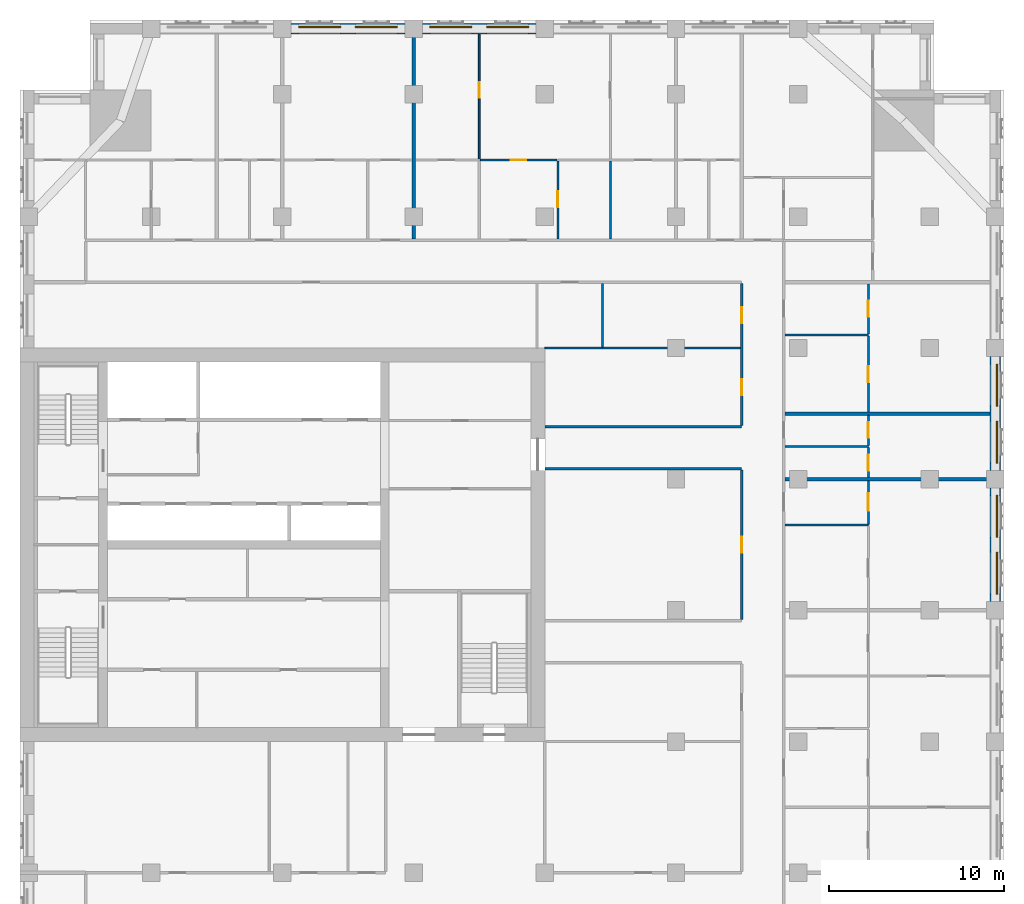
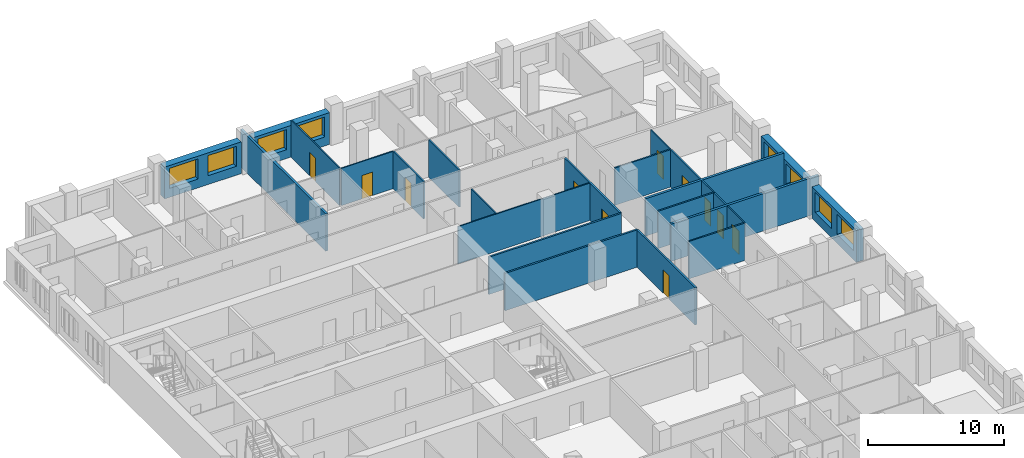
# One storey, part 10 of 14: 25 walls, 11 doors, 8 windows, 19 openings.
"""IFC4 building model written with IfcOpenShell, lengths in metres."""

from ifc_helpers import new_model, si_unit, direction, frame, frame_2d, origin, place, context, subcontext, project, spatial, rectangle, extrude, material, layer, layer_set, type_object, element, fill, save


model = new_model("IFC4")

# Units and contexts
model_context = context("Model", 3, precision=1e-05, world=origin(), true_north=direction((0.0, 1.0)))
body_context = subcontext(model_context, "Body", "Model", "MODEL_VIEW")
ifc_project = project(units=[si_unit("LENGTHUNIT", "METRE"), si_unit("AREAUNIT", "SQUARE_METRE"), si_unit("VOLUMEUNIT", "CUBIC_METRE"), si_unit("PLANEANGLEUNIT", "RADIAN"), si_unit("MASSUNIT", "GRAM", prefix="KILO")], contexts=[model_context])

# Site, building, storey
site_placement = place(None, origin())
site = spatial("IfcSite", under=ifc_project, at=site_placement, CompositionType="ELEMENT")
building_placement = place(site_placement, origin())
building = spatial("IfcBuilding", under=site, at=building_placement, Name="Tamorin Gate", CompositionType="ELEMENT")
storey_placement = place(building_placement, frame((0.0, 0.0, 141.0)))
storey = spatial("IfcBuildingStorey", under=building, at=storey_placement, Name="L34", CompositionType="ELEMENT", Elevation=141.0)

# Wall, openings, windows
ifc_material_1 = material(Name="Precast concrete C40/50", Category="concrete")
ifc_layer_1 = layer(ifc_material_1, 0.60009765625)
ifc_layer_set_1 = layer_set([ifc_layer_1], Name="Precast concrete C40/50")
wall_type_1 = type_object("IfcWallType", Name="Board-marked concrete facade panel 600", PredefinedType="SOLIDWALL", material=ifc_layer_set_1)
wall_1_placement = place(storey_placement, frame((85.75, 68.0, 0.0), z_axis=(0.0, 0.0, 1.0), x_axis=(0.0, 1.0, 0.0)))
wall_1 = element("IfcWall", 1, at=wall_1_placement, inside=storey, type_object=wall_type_1, Name="Facade panel", PredefinedType="SOLIDWALL", context=body_context, shape_type="SweptSolid", body=[
    extrude(rectangle(XDim=6.5, YDim=0.60009765625, at=frame_2d((3.25, 0.0))), origin(), (0.0, 0.0, 1.0), 2.85009765625),
])
opening_1_placement = place(wall_1_placement, frame((0.425048828125, 0.0, 0.800048828125)))
opening_1 = element("IfcOpeningElement", 2, at=opening_1_placement, cuts=wall_1, Name="Opening WN1", PredefinedType="OPENING", context=body_context, shape_type="SweptSolid", body=[
    extrude(rectangle(XDim=2.39990234375, YDim=1.800048828125, at=frame_2d((1.199951171875, 0.89990234375))), frame((0.0, 0.31005859375, 0.0), z_axis=(0.0, -1.0, 0.0), x_axis=(1.0, 0.0, 0.0)), (0.0, 0.0, 1.0), 0.6201171875),
])
opening_2_placement = place(wall_1_placement, frame((3.675048828125, 0.0, 0.800048828125)))
opening_2 = element("IfcOpeningElement", 3, at=opening_2_placement, cuts=wall_1, Name="Opening WN1", PredefinedType="OPENING", context=body_context, shape_type="SweptSolid", body=[
    extrude(rectangle(XDim=2.39990234375, YDim=1.800048828125, at=frame_2d((1.199951171875, 0.89990234375))), frame((0.0, 0.31005859375, 0.0), z_axis=(0.0, -1.0, 0.0), x_axis=(1.0, 0.0, 0.0)), (0.0, 0.0, 1.0), 0.6201171875),
])
ifc_material_2 = material(Name="Clear glass in aluminium frame", Category="aluminium")
window_type = type_object("IfcWindowType", Name="Deep-set window 2400x1800", PartitioningType="SINGLE_PANEL", PredefinedType="WINDOW", material=ifc_material_2)
window_1_placement = place(opening_1_placement, origin())
window_1 = element("IfcWindow", 4, at=window_1_placement, inside=storey, type_object=window_type, Name="Deep-set window", OverallHeight=1.800048828125, OverallWidth=2.39990234375, PartitioningType="SINGLE_PANEL", PredefinedType="WINDOW", context=body_context, shape_type="SweptSolid", body=[
    extrude(rectangle(XDim=2.39990234375, YDim=1.800048828125, at=frame_2d((1.199951171875, 0.89990234375))), frame((0.0, -0.070068359375, 0.0), z_axis=(0.0, -1.0, 0.0), x_axis=(1.0, 0.0, 0.0)), (0.0, 0.0, 1.0), 0.06005859375),
])
fill(opening_1, window_1)
window_2_placement = place(opening_2_placement, origin())
window_2 = element("IfcWindow", 5, at=window_2_placement, inside=storey, type_object=window_type, Name="Deep-set window", OverallHeight=1.800048828125, OverallWidth=2.39990234375, PartitioningType="SINGLE_PANEL", PredefinedType="WINDOW", context=body_context, shape_type="SweptSolid", body=[
    extrude(rectangle(XDim=2.39990234375, YDim=1.800048828125, at=frame_2d((1.199951171875, 0.89990234375))), frame((0.0, -0.070068359375, 0.0), z_axis=(0.0, -1.0, 0.0), x_axis=(1.0, 0.0, 0.0)), (0.0, 0.0, 1.0), 0.06005859375),
])
fill(opening_2, window_2)

wall_2_placement = place(storey_placement, frame((85.75, 75.5, 0.0), z_axis=(0.0, 0.0, 1.0), x_axis=(0.0, 1.0, 0.0)))
wall_2 = element("IfcWall", 6, at=wall_2_placement, inside=storey, type_object=wall_type_1, Name="Facade panel", PredefinedType="SOLIDWALL", context=body_context, shape_type="SweptSolid", body=[
    extrude(rectangle(XDim=6.5, YDim=0.60009765625, at=frame_2d((3.25, 0.0))), origin(), (0.0, 0.0, 1.0), 2.85009765625),
])
opening_3_placement = place(wall_2_placement, frame((0.425048828125, 0.0, 0.800048828125)))
opening_3 = element("IfcOpeningElement", 7, at=opening_3_placement, cuts=wall_2, Name="Opening WN1", PredefinedType="OPENING", context=body_context, shape_type="SweptSolid", body=[
    extrude(rectangle(XDim=2.39990234375, YDim=1.800048828125, at=frame_2d((1.199951171875, 0.89990234375))), frame((0.0, 0.31005859375, 0.0), z_axis=(0.0, -1.0, 0.0), x_axis=(1.0, 0.0, 0.0)), (0.0, 0.0, 1.0), 0.6201171875),
])
opening_4_placement = place(wall_2_placement, frame((3.675048828125, 0.0, 0.800048828125)))
opening_4 = element("IfcOpeningElement", 8, at=opening_4_placement, cuts=wall_2, Name="Opening WN1", PredefinedType="OPENING", context=body_context, shape_type="SweptSolid", body=[
    extrude(rectangle(XDim=2.39990234375, YDim=1.800048828125, at=frame_2d((1.199951171875, 0.89990234375))), frame((0.0, 0.31005859375, 0.0), z_axis=(0.0, -1.0, 0.0), x_axis=(1.0, 0.0, 0.0)), (0.0, 0.0, 1.0), 0.6201171875),
])
window_3_placement = place(opening_3_placement, origin())
window_3 = element("IfcWindow", 9, at=window_3_placement, inside=storey, type_object=window_type, Name="Deep-set window", OverallHeight=1.800048828125, OverallWidth=2.39990234375, PartitioningType="SINGLE_PANEL", PredefinedType="WINDOW", context=body_context, shape_type="SweptSolid", body=[
    extrude(rectangle(XDim=2.39990234375, YDim=1.800048828125, at=frame_2d((1.199951171875, 0.89990234375))), frame((0.0, -0.070068359375, 0.0), z_axis=(0.0, -1.0, 0.0), x_axis=(1.0, 0.0, 0.0)), (0.0, 0.0, 1.0), 0.06005859375),
])
fill(opening_3, window_3)
window_4_placement = place(opening_4_placement, origin())
window_4 = element("IfcWindow", 10, at=window_4_placement, inside=storey, type_object=window_type, Name="Deep-set window", OverallHeight=1.800048828125, OverallWidth=2.39990234375, PartitioningType="SINGLE_PANEL", PredefinedType="WINDOW", context=body_context, shape_type="SweptSolid", body=[
    extrude(rectangle(XDim=2.39990234375, YDim=1.800048828125, at=frame_2d((1.199951171875, 0.89990234375))), frame((0.0, -0.070068359375, 0.0), z_axis=(0.0, -1.0, 0.0), x_axis=(1.0, 0.0, 0.0)), (0.0, 0.0, 1.0), 0.06005859375),
])
fill(opening_4, window_4)

wall_3_placement = place(storey_placement, frame((59.5, 100.75, 0.0), z_axis=(0.0, 0.0, 1.0), x_axis=(-1.0, 0.0, 0.0)))
wall_3 = element("IfcWall", 11, at=wall_3_placement, inside=storey, type_object=wall_type_1, Name="Facade panel", PredefinedType="SOLIDWALL", context=body_context, shape_type="SweptSolid", body=[
    extrude(rectangle(XDim=6.5, YDim=0.60009765625, at=frame_2d((3.25, 0.0))), origin(), (0.0, 0.0, 1.0), 2.85009765625),
])
opening_5_placement = place(wall_3_placement, frame((3.675048828125, 0.0, 0.800048828125)))
opening_5 = element("IfcOpeningElement", 12, at=opening_5_placement, cuts=wall_3, Name="Opening WN1", PredefinedType="OPENING", context=body_context, shape_type="SweptSolid", body=[
    extrude(rectangle(XDim=2.39990234375, YDim=1.800048828125, at=frame_2d((1.199951171875, 0.89990234375))), frame((0.0, 0.31005859375, 0.0), z_axis=(0.0, -1.0, 0.0), x_axis=(1.0, 0.0, 0.0)), (0.0, 0.0, 1.0), 0.6201171875),
])
opening_6_placement = place(wall_3_placement, frame((0.425048828125, 0.0, 0.800048828125)))
opening_6 = element("IfcOpeningElement", 13, at=opening_6_placement, cuts=wall_3, Name="Opening WN1", PredefinedType="OPENING", context=body_context, shape_type="SweptSolid", body=[
    extrude(rectangle(XDim=2.39990234375, YDim=1.800048828125, at=frame_2d((1.199951171875, 0.89990234375))), frame((0.0, 0.31005859375, 0.0), z_axis=(0.0, -1.0, 0.0), x_axis=(1.0, 0.0, 0.0)), (0.0, 0.0, 1.0), 0.6201171875),
])
window_5_placement = place(opening_5_placement, origin())
window_5 = element("IfcWindow", 14, at=window_5_placement, inside=storey, type_object=window_type, Name="Deep-set window", OverallHeight=1.800048828125, OverallWidth=2.39990234375, PartitioningType="SINGLE_PANEL", PredefinedType="WINDOW", context=body_context, shape_type="SweptSolid", body=[
    extrude(rectangle(XDim=2.39990234375, YDim=1.800048828125, at=frame_2d((1.199951171875, 0.89990234375))), frame((0.0, -0.070068359375, 0.0), z_axis=(0.0, -1.0, 0.0), x_axis=(1.0, 0.0, 0.0)), (0.0, 0.0, 1.0), 0.06005859375),
])
fill(opening_5, window_5)
window_6_placement = place(opening_6_placement, origin())
window_6 = element("IfcWindow", 15, at=window_6_placement, inside=storey, type_object=window_type, Name="Deep-set window", OverallHeight=1.800048828125, OverallWidth=2.39990234375, PartitioningType="SINGLE_PANEL", PredefinedType="WINDOW", context=body_context, shape_type="SweptSolid", body=[
    extrude(rectangle(XDim=2.39990234375, YDim=1.800048828125, at=frame_2d((1.199951171875, 0.89990234375))), frame((0.0, -0.070068359375, 0.0), z_axis=(0.0, -1.0, 0.0), x_axis=(1.0, 0.0, 0.0)), (0.0, 0.0, 1.0), 0.06005859375),
])
fill(opening_6, window_6)

wall_4_placement = place(storey_placement, frame((52.0, 100.75, 0.0), z_axis=(0.0, 0.0, 1.0), x_axis=(-1.0, 0.0, 0.0)))
wall_4 = element("IfcWall", 16, at=wall_4_placement, inside=storey, type_object=wall_type_1, Name="Facade panel", PredefinedType="SOLIDWALL", context=body_context, shape_type="SweptSolid", body=[
    extrude(rectangle(XDim=6.5, YDim=0.60009765625, at=frame_2d((3.25, 0.0))), origin(), (0.0, 0.0, 1.0), 2.85009765625),
])
opening_7_placement = place(wall_4_placement, frame((3.675048828125, 0.0, 0.800048828125)))
opening_7 = element("IfcOpeningElement", 17, at=opening_7_placement, cuts=wall_4, Name="Opening WN1", PredefinedType="OPENING", context=body_context, shape_type="SweptSolid", body=[
    extrude(rectangle(XDim=2.39990234375, YDim=1.800048828125, at=frame_2d((1.199951171875, 0.89990234375))), frame((0.0, 0.31005859375, 0.0), z_axis=(0.0, -1.0, 0.0), x_axis=(1.0, 0.0, 0.0)), (0.0, 0.0, 1.0), 0.6201171875),
])
opening_8_placement = place(wall_4_placement, frame((0.425048828125, 0.0, 0.800048828125)))
opening_8 = element("IfcOpeningElement", 18, at=opening_8_placement, cuts=wall_4, Name="Opening WN1", PredefinedType="OPENING", context=body_context, shape_type="SweptSolid", body=[
    extrude(rectangle(XDim=2.39990234375, YDim=1.800048828125, at=frame_2d((1.199951171875, 0.89990234375))), frame((0.0, 0.31005859375, 0.0), z_axis=(0.0, -1.0, 0.0), x_axis=(1.0, 0.0, 0.0)), (0.0, 0.0, 1.0), 0.6201171875),
])
window_7_placement = place(opening_7_placement, origin())
window_7 = element("IfcWindow", 19, at=window_7_placement, inside=storey, type_object=window_type, Name="Deep-set window", OverallHeight=1.800048828125, OverallWidth=2.39990234375, PartitioningType="SINGLE_PANEL", PredefinedType="WINDOW", context=body_context, shape_type="SweptSolid", body=[
    extrude(rectangle(XDim=2.39990234375, YDim=1.800048828125, at=frame_2d((1.199951171875, 0.89990234375))), frame((0.0, -0.070068359375, 0.0), z_axis=(0.0, -1.0, 0.0), x_axis=(1.0, 0.0, 0.0)), (0.0, 0.0, 1.0), 0.06005859375),
])
fill(opening_7, window_7)
window_8_placement = place(opening_8_placement, origin())
window_8 = element("IfcWindow", 20, at=window_8_placement, inside=storey, type_object=window_type, Name="Deep-set window", OverallHeight=1.800048828125, OverallWidth=2.39990234375, PartitioningType="SINGLE_PANEL", PredefinedType="WINDOW", context=body_context, shape_type="SweptSolid", body=[
    extrude(rectangle(XDim=2.39990234375, YDim=1.800048828125, at=frame_2d((1.199951171875, 0.89990234375))), frame((0.0, -0.070068359375, 0.0), z_axis=(0.0, -1.0, 0.0), x_axis=(1.0, 0.0, 0.0)), (0.0, 0.0, 1.0), 0.06005859375),
])
fill(opening_8, window_8)

# Wall, opening, door
ifc_material_3 = material(Name="Gypsum board partition")
ifc_layer_2 = layer(ifc_material_3, 0.14990234375)
ifc_layer_set_2 = layer_set([ifc_layer_2], Name="Corridor wall 150")
wall_type_2 = type_object("IfcWallType", Name="Corridor wall 150", PredefinedType="PARTITIONING", material=ifc_layer_set_2)
wall_5_placement = place(storey_placement, frame((71.25, 66.97509765625, 0.0), z_axis=(0.0, 0.0, 1.0), x_axis=(0.0, 1.0, 0.0)))
wall_5 = element("IfcWall", 21, at=wall_5_placement, inside=storey, type_object=wall_type_2, Name="Corridor wall 150", PredefinedType="PARTITIONING", context=body_context, shape_type="SweptSolid", body=[
    extrude(rectangle(XDim=8.5498046875, YDim=0.14990234375, at=frame_2d((4.27490234375, 0.0))), origin(), (0.0, 0.0, 1.0), 3.35009765625),
])
opening_9_placement = place(wall_5_placement, frame((3.824951171875, 0.0, 0.0)))
opening_9 = element("IfcOpeningElement", 22, at=opening_9_placement, cuts=wall_5, Name="Opening DS4079", PredefinedType="OPENING", context=body_context, shape_type="SweptSolid", body=[
    extrude(rectangle(XDim=0.89990234375, YDim=2.10009765625, at=frame_2d((0.449951171875, 1.050048828125))), frame((0.0, 0.0849609375, 0.0), z_axis=(0.0, -1.0, 0.0), x_axis=(1.0, 0.0, 0.0)), (0.0, 0.0, 1.0), 0.169921875),
])
ifc_material_4 = material(Name="Timber door leaf", Category="wood")
door_type_1 = type_object("IfcDoorType", Name="Door 900 x 2100 FD30S", OperationType="NOTDEFINED", PredefinedType="DOOR", material=ifc_material_4)
door_1_placement = place(opening_9_placement, origin())
door_1 = element("IfcDoor", 23, at=door_1_placement, inside=storey, type_object=door_type_1, Name="Door DS4079", OperationType="SINGLE_SWING_LEFT", OverallHeight=2.10009765625, OverallWidth=0.89990234375, PredefinedType="DOOR", context=body_context, shape_type="SweptSolid", body=[
    extrude(rectangle(XDim=0.89990234375, YDim=2.10009765625, at=frame_2d((0.449951171875, 1.050048828125))), frame((0.0, 0.02490234375, 0.0), z_axis=(0.0, -1.0, 0.0), x_axis=(1.0, 0.0, 0.0)), (0.0, 0.0, 1.0), 0.050048828125),
])
fill(opening_9, door_1)

# Wall, openings, doors
wall_6_placement = place(storey_placement, frame((71.25, 78.074951171875, 0.0), z_axis=(0.0, 0.0, 1.0), x_axis=(0.0, 1.0, 0.0)))
wall_6 = element("IfcWall", 24, at=wall_6_placement, inside=storey, type_object=wall_type_2, Name="Corridor wall 150", PredefinedType="PARTITIONING", context=body_context, shape_type="SweptSolid", body=[
    extrude(rectangle(XDim=8.10009765625, YDim=0.14990234375, at=frame_2d((4.050048828125, 0.0))), origin(), (0.0, 0.0, 1.0), 3.35009765625),
])
opening_10_placement = place(wall_6_placement, frame((5.85009765625, 0.0, 0.0)))
opening_10 = element("IfcOpeningElement", 25, at=opening_10_placement, cuts=wall_6, Name="Opening DS4077", PredefinedType="OPENING", context=body_context, shape_type="SweptSolid", body=[
    extrude(rectangle(XDim=0.89990234375, YDim=2.10009765625, at=frame_2d((0.449951171875, 1.050048828125))), frame((0.0, 0.0849609375, 0.0), z_axis=(0.0, -1.0, 0.0), x_axis=(1.0, 0.0, 0.0)), (0.0, 0.0, 1.0), 0.169921875),
])
opening_11_placement = place(wall_6_placement, frame((1.72509765625, 0.0, 0.0)))
opening_11 = element("IfcOpeningElement", 26, at=opening_11_placement, cuts=wall_6, Name="Opening DS4080", PredefinedType="OPENING", context=body_context, shape_type="SweptSolid", body=[
    extrude(rectangle(XDim=0.89990234375, YDim=2.10009765625, at=frame_2d((0.449951171875, 1.050048828125))), frame((0.0, 0.0849609375, 0.0), z_axis=(0.0, -1.0, 0.0), x_axis=(1.0, 0.0, 0.0)), (0.0, 0.0, 1.0), 0.169921875),
])
door_2_placement = place(opening_10_placement, origin())
door_2 = element("IfcDoor", 27, at=door_2_placement, inside=storey, type_object=door_type_1, Name="Door DS4077", OperationType="SINGLE_SWING_LEFT", OverallHeight=2.10009765625, OverallWidth=0.89990234375, PredefinedType="DOOR", context=body_context, shape_type="SweptSolid", body=[
    extrude(rectangle(XDim=0.89990234375, YDim=2.10009765625, at=frame_2d((0.449951171875, 1.050048828125))), frame((0.0, 0.02490234375, 0.0), z_axis=(0.0, -1.0, 0.0), x_axis=(1.0, 0.0, 0.0)), (0.0, 0.0, 1.0), 0.050048828125),
])
fill(opening_10, door_2)
door_3_placement = place(opening_11_placement, origin())
door_3 = element("IfcDoor", 28, at=door_3_placement, inside=storey, type_object=door_type_1, Name="Door DS4080", OperationType="SINGLE_SWING_LEFT", OverallHeight=2.10009765625, OverallWidth=0.89990234375, PredefinedType="DOOR", context=body_context, shape_type="SweptSolid", body=[
    extrude(rectangle(XDim=0.89990234375, YDim=2.10009765625, at=frame_2d((0.449951171875, 1.050048828125))), frame((0.0, 0.02490234375, 0.0), z_axis=(0.0, -1.0, 0.0), x_axis=(1.0, 0.0, 0.0)), (0.0, 0.0, 1.0), 0.050048828125),
])
fill(opening_11, door_3)

# Walls
ifc_layer_3 = layer(ifc_material_3, 0.199951171875)
ifc_layer_set_3 = layer_set([ifc_layer_3], Name="Demising wall 200")
wall_type_3 = type_object("IfcWallType", Name="Demising wall 200", PredefinedType="PARTITIONING", material=ifc_layer_set_3)
wall_7_placement = place(storey_placement, frame((73.72509765625, 75.0, 0.0), z_axis=(0.0, 0.0, 1.0), x_axis=(1.0, 0.0, 0.0)))
element("IfcWall", 29, at=wall_7_placement, inside=storey, type_object=wall_type_3, Name="Demising wall 200", PredefinedType="PARTITIONING", context=body_context, shape_type="SweptSolid", body=[
    extrude(rectangle(XDim=12.52490234375, YDim=0.199951171875, at=frame_2d((6.262451171875, 0.0))), origin(), (0.0, 0.0, 1.0), 3.35009765625),
])
wall_8_placement = place(storey_placement, frame((73.72509765625, 78.75, 0.0), z_axis=(0.0, 0.0, 1.0), x_axis=(1.0, 0.0, 0.0)))
element("IfcWall", 30, at=wall_8_placement, inside=storey, type_object=wall_type_3, Name="Demising wall 200", PredefinedType="PARTITIONING", context=body_context, shape_type="SweptSolid", body=[
    extrude(rectangle(XDim=11.71484375, YDim=0.199951171875, at=frame_2d((5.857421875, 0.0))), origin(), (0.0, 0.0, 1.0), 3.35009765625),
])
wall_9_placement = place(storey_placement, frame((52.5, 88.72509765625, 0.0), z_axis=(0.0, 0.0, 1.0), x_axis=(0.0, 1.0, 0.0)))
element("IfcWall", 31, at=wall_9_placement, inside=storey, type_object=wall_type_3, Name="Demising wall 200", PredefinedType="PARTITIONING", context=body_context, shape_type="SweptSolid", body=[
    extrude(rectangle(XDim=12.52490234375, YDim=0.199951171875, at=frame_2d((6.262451171875, 0.0))), origin(), (0.0, 0.0, 1.0), 3.35009765625),
])
ifc_layer_4 = layer(ifc_material_3, 0.14990234375)
ifc_layer_set_4 = layer_set([ifc_layer_4], Name="Lobby wall 150")
wall_type_4 = type_object("IfcWallType", Name="Lobby wall 150", PredefinedType="PARTITIONING", material=ifc_layer_set_4)
for number, where, z_axis, x_axis, name in (
    (32, (60.0, 75.60009765625, 0.0), (0.0, 0.0, 1.0), (1.0, 0.0, 0.0), "Lobby wall 150"),
    (33, (60.0, 78.0, 0.0), (0.0, 0.0, 1.0), (1.0, 0.0, 0.0), "Lobby wall 150"),
):
    element("IfcWall", number, at=place(storey_placement, frame(where, z_axis=z_axis, x_axis=x_axis)), inside=storey, type_object=wall_type_4, Name=name, PredefinedType="PARTITIONING", context=body_context, shape_type="SweptSolid", body=[
        extrude(rectangle(XDim=11.25, YDim=0.14990234375, at=frame_2d((5.625, 0.0))), origin(), (0.0, 0.0, 1.0), 3.35009765625),
    ])
ifc_layer_5 = layer(ifc_material_3, 0.10009765625)
ifc_layer_set_5 = layer_set([ifc_layer_5], Name="Room partition 100")
wall_type_5 = type_object("IfcWallType", Name="Room partition 100", PredefinedType="PARTITIONING", material=ifc_layer_set_5)
wall_10_placement = place(storey_placement, frame((60.0, 82.5, 0.0), z_axis=(0.0, 0.0, 1.0), x_axis=(1.0, 0.0, 0.0)))
element("IfcWall", 34, at=wall_10_placement, inside=storey, type_object=wall_type_5, Name="Room partition 100", PredefinedType="PARTITIONING", context=body_context, shape_type="SweptSolid", body=[
    extrude(rectangle(XDim=11.175048828125, YDim=0.10009765625, at=frame_2d((5.58740234375, 0.0))), origin(), (0.0, 0.0, 1.0), 3.35009765625),
])

# Wall, opening, door
wall_11_placement = place(storey_placement, frame((56.3125, 93.25, 0.0), z_axis=(0.0, 0.0, 1.0), x_axis=(1.0, 0.0, 0.0)))
wall_11 = element("IfcWall", 35, at=wall_11_placement, inside=storey, type_object=wall_type_5, Name="Room partition 100", PredefinedType="PARTITIONING", context=body_context, shape_type="SweptSolid", body=[
    extrude(rectangle(XDim=4.375, YDim=0.10009765625, at=frame_2d((2.1875, 0.0))), origin(), (0.0, 0.0, 1.0), 3.35009765625),
])
opening_12_placement = place(wall_11_placement, frame((1.737548828125, 0.0, 0.0)))
opening_12 = element("IfcOpeningElement", 36, at=opening_12_placement, cuts=wall_11, Name="Opening DS4035", PredefinedType="OPENING", context=body_context, shape_type="SweptSolid", body=[
    extrude(rectangle(XDim=0.89990234375, YDim=2.10009765625, at=frame_2d((0.449951171875, 1.050048828125))), frame((0.0, 0.06005859375, 0.0), z_axis=(0.0, -1.0, 0.0), x_axis=(1.0, 0.0, 0.0)), (0.0, 0.0, 1.0), 0.1201171875),
])
door_type_2 = type_object("IfcDoorType", Name="Door 900 x 2100", OperationType="NOTDEFINED", PredefinedType="DOOR", material=ifc_material_4)
door_4_placement = place(opening_12_placement, origin())
door_4 = element("IfcDoor", 37, at=door_4_placement, inside=storey, type_object=door_type_2, Name="Door DS4035", OperationType="SINGLE_SWING_RIGHT", OverallHeight=2.10009765625, OverallWidth=0.89990234375, PredefinedType="DOOR", context=body_context, shape_type="SweptSolid", body=[
    extrude(rectangle(XDim=0.89990234375, YDim=2.10009765625, at=frame_2d((0.449951171875, 1.050048828125))), frame((0.0, 0.02490234375, 0.0), z_axis=(0.0, -1.0, 0.0), x_axis=(1.0, 0.0, 0.0)), (0.0, 0.0, 1.0), 0.050048828125),
])
fill(opening_12, door_4)

wall_12_placement = place(storey_placement, frame((56.25, 93.3125, 0.0), z_axis=(0.0, 0.0, 1.0), x_axis=(0.0, 1.0, 0.0)))
wall_12 = element("IfcWall", 38, at=wall_12_placement, inside=storey, type_object=wall_type_5, Name="Room partition 100", PredefinedType="PARTITIONING", context=body_context, shape_type="SweptSolid", body=[
    extrude(rectangle(XDim=7.12744140625, YDim=0.10009765625, at=frame_2d((3.563720703125, 0.0))), origin(), (0.0, 0.0, 1.0), 3.35009765625),
])
opening_13_placement = place(wall_12_placement, frame((3.487548828125, 0.0, 0.0)))
opening_13 = element("IfcOpeningElement", 39, at=opening_13_placement, cuts=wall_12, Name="Opening DS4038", PredefinedType="OPENING", context=body_context, shape_type="SweptSolid", body=[
    extrude(rectangle(XDim=0.89990234375, YDim=2.10009765625, at=frame_2d((0.449951171875, 1.050048828125))), frame((0.0, 0.06005859375, 0.0), z_axis=(0.0, -1.0, 0.0), x_axis=(1.0, 0.0, 0.0)), (0.0, 0.0, 1.0), 0.1201171875),
])
door_5_placement = place(opening_13_placement, origin())
door_5 = element("IfcDoor", 40, at=door_5_placement, inside=storey, type_object=door_type_2, Name="Door DS4038", OperationType="SINGLE_SWING_LEFT", OverallHeight=2.10009765625, OverallWidth=0.89990234375, PredefinedType="DOOR", context=body_context, shape_type="SweptSolid", body=[
    extrude(rectangle(XDim=0.89990234375, YDim=2.10009765625, at=frame_2d((0.449951171875, 1.050048828125))), frame((0.0, 0.02490234375, 0.0), z_axis=(0.0, -1.0, 0.0), x_axis=(1.0, 0.0, 0.0)), (0.0, 0.0, 1.0), 0.050048828125),
])
fill(opening_13, door_5)

# Wall
wall_13_placement = place(storey_placement, frame((63.300048828125, 82.550048828125, 0.0), z_axis=(0.0, 0.0, 1.0), x_axis=(0.0, 1.0, 0.0)))
element("IfcWall", 41, at=wall_13_placement, inside=storey, type_object=wall_type_5, Name="Room partition 100", PredefinedType="PARTITIONING", context=body_context, shape_type="SweptSolid", body=[
    extrude(rectangle(XDim=3.625, YDim=0.10009765625, at=frame_2d((1.8125, 0.0))), origin(), (0.0, 0.0, 1.0), 3.35009765625),
])

# Wall, opening, door
wall_14_placement = place(storey_placement, frame((78.5, 72.4375, 0.0), z_axis=(0.0, 0.0, 1.0), x_axis=(0.0, 1.0, 0.0)))
wall_14 = element("IfcWall", 42, at=wall_14_placement, inside=storey, type_object=wall_type_5, Name="Room partition 100", PredefinedType="PARTITIONING", context=body_context, shape_type="SweptSolid", body=[
    extrude(rectangle(XDim=2.46240234375, YDim=0.10009765625, at=frame_2d((1.231201171875, 0.0))), origin(), (0.0, 0.0, 1.0), 3.35009765625),
])
opening_14_placement = place(wall_14_placement, frame((0.75, 0.0, 0.0)))
opening_14 = element("IfcOpeningElement", 43, at=opening_14_placement, cuts=wall_14, Name="Opening DS4052", PredefinedType="OPENING", context=body_context, shape_type="SweptSolid", body=[
    extrude(rectangle(XDim=1.0, YDim=2.10009765625, at=frame_2d((0.5, 1.050048828125))), frame((0.0, 0.06005859375, 0.0), z_axis=(0.0, -1.0, 0.0), x_axis=(1.0, 0.0, 0.0)), (0.0, 0.0, 1.0), 0.1201171875),
])
door_type_3 = type_object("IfcDoorType", Name="Door 1000 x 2100", OperationType="NOTDEFINED", PredefinedType="DOOR", material=ifc_material_4)
door_6_placement = place(opening_14_placement, origin())
door_6 = element("IfcDoor", 44, at=door_6_placement, inside=storey, type_object=door_type_3, Name="Door DS4052", OperationType="SINGLE_SWING_LEFT", OverallHeight=2.10009765625, OverallWidth=1.0, PredefinedType="DOOR", context=body_context, shape_type="SweptSolid", body=[
    extrude(rectangle(XDim=1.0, YDim=2.10009765625, at=frame_2d((0.5, 1.050048828125))), frame((0.0, 0.02490234375, 0.0), z_axis=(0.0, -1.0, 0.0), x_axis=(1.0, 0.0, 0.0)), (0.0, 0.0, 1.0), 0.050048828125),
])
fill(opening_14, door_6)

wall_15_placement = place(storey_placement, frame((78.5, 76.9375, 0.0), z_axis=(0.0, 0.0, 1.0), x_axis=(0.0, 1.0, 0.0)))
wall_15 = element("IfcWall", 45, at=wall_15_placement, inside=storey, type_object=wall_type_5, Name="Room partition 100", PredefinedType="PARTITIONING", context=body_context, shape_type="SweptSolid", body=[
    extrude(rectangle(XDim=1.71240234375, YDim=0.10009765625, at=frame_2d((0.856201171875, 0.0))), origin(), (0.0, 0.0, 1.0), 3.35009765625),
])
opening_15_placement = place(wall_15_placement, frame((0.425048828125, 0.0, 0.0)))
opening_15 = element("IfcOpeningElement", 46, at=opening_15_placement, cuts=wall_15, Name="Opening DS4055", PredefinedType="OPENING", context=body_context, shape_type="SweptSolid", body=[
    extrude(rectangle(XDim=0.89990234375, YDim=2.10009765625, at=frame_2d((0.449951171875, 1.050048828125))), frame((0.0, 0.06005859375, 0.0), z_axis=(0.0, -1.0, 0.0), x_axis=(1.0, 0.0, 0.0)), (0.0, 0.0, 1.0), 0.1201171875),
])
door_7_placement = place(opening_15_placement, origin())
door_7 = element("IfcDoor", 47, at=door_7_placement, inside=storey, type_object=door_type_2, Name="Door DS4055", OperationType="SINGLE_SWING_LEFT", OverallHeight=2.10009765625, OverallWidth=0.89990234375, PredefinedType="DOOR", context=body_context, shape_type="SweptSolid", body=[
    extrude(rectangle(XDim=0.89990234375, YDim=2.10009765625, at=frame_2d((0.449951171875, 1.050048828125))), frame((0.0, 0.02490234375, 0.0), z_axis=(0.0, -1.0, 0.0), x_axis=(1.0, 0.0, 0.0)), (0.0, 0.0, 1.0), 0.050048828125),
])
fill(opening_15, door_7)

wall_16_placement = place(storey_placement, frame((78.5, 83.3125, 0.0), z_axis=(0.0, 0.0, 1.0), x_axis=(0.0, 1.0, 0.0)))
wall_16 = element("IfcWall", 48, at=wall_16_placement, inside=storey, type_object=wall_type_5, Name="Room partition 100", PredefinedType="PARTITIONING", context=body_context, shape_type="SweptSolid", body=[
    extrude(rectangle(XDim=2.83740234375, YDim=0.10009765625, at=frame_2d((1.418701171875, 0.0))), origin(), (0.0, 0.0, 1.0), 3.35009765625),
])
opening_16_placement = place(wall_16_placement, frame((0.987548828125, 0.0, 0.0)))
opening_16 = element("IfcOpeningElement", 49, at=opening_16_placement, cuts=wall_16, Name="Opening DS4058", PredefinedType="OPENING", context=body_context, shape_type="SweptSolid", body=[
    extrude(rectangle(XDim=0.89990234375, YDim=2.10009765625, at=frame_2d((0.449951171875, 1.050048828125))), frame((0.0, 0.06005859375, 0.0), z_axis=(0.0, -1.0, 0.0), x_axis=(1.0, 0.0, 0.0)), (0.0, 0.0, 1.0), 0.1201171875),
])
door_8_placement = place(opening_16_placement, origin())
door_8 = element("IfcDoor", 50, at=door_8_placement, inside=storey, type_object=door_type_2, Name="Door DS4058", OperationType="SINGLE_SWING_LEFT", OverallHeight=2.10009765625, OverallWidth=0.89990234375, PredefinedType="DOOR", context=body_context, shape_type="SweptSolid", body=[
    extrude(rectangle(XDim=0.89990234375, YDim=2.10009765625, at=frame_2d((0.449951171875, 1.050048828125))), frame((0.0, 0.02490234375, 0.0), z_axis=(0.0, -1.0, 0.0), x_axis=(1.0, 0.0, 0.0)), (0.0, 0.0, 1.0), 0.050048828125),
])
fill(opening_16, door_8)

# Walls
ifc_layer_6 = layer(ifc_material_3, 0.125)
ifc_layer_set_6 = layer_set([ifc_layer_6], Name="Wet wall 125")
wall_type_6 = type_object("IfcWallType", Name="Wet wall 125", PredefinedType="PARTITIONING", material=ifc_layer_set_6)
for number, where, z_axis, x_axis, name in (
    (51, (73.72509765625, 72.375, 0.0), (0.0, 0.0, 1.0), (1.0, 0.0, 0.0), "Wet wall 125"),
    (52, (73.72509765625, 76.875, 0.0), (0.0, 0.0, 1.0), (1.0, 0.0, 0.0), "Wet wall 125"),
    (53, (73.72509765625, 83.25, 0.0), (0.0, 0.0, 1.0), (1.0, 0.0, 0.0), "Wet wall 125"),
):
    element("IfcWall", number, at=place(storey_placement, frame(where, z_axis=z_axis, x_axis=x_axis)), inside=storey, type_object=wall_type_6, Name=name, PredefinedType="PARTITIONING", context=body_context, shape_type="SweptSolid", body=[
        extrude(rectangle(XDim=4.77490234375, YDim=0.125, at=frame_2d((2.387451171875, 0.0))), origin(), (0.0, 0.0, 1.0), 3.35009765625),
    ])

# Wall, opening, door
wall_17_placement = place(storey_placement, frame((60.75, 88.72509765625, 0.0), z_axis=(0.0, 0.0, 1.0), x_axis=(0.0, 1.0, 0.0)))
wall_17 = element("IfcWall", 54, at=wall_17_placement, inside=storey, type_object=wall_type_6, Name="Wet wall 125", PredefinedType="PARTITIONING", context=body_context, shape_type="SweptSolid", body=[
    extrude(rectangle(XDim=4.46240234375, YDim=0.125, at=frame_2d((2.231201171875, 0.0))), origin(), (0.0, 0.0, 1.0), 3.35009765625),
])
opening_17_placement = place(wall_17_placement, frame((1.824951171875, 0.0, 0.0)))
opening_17 = element("IfcOpeningElement", 55, at=opening_17_placement, cuts=wall_17, Name="Opening DS4036", PredefinedType="OPENING", context=body_context, shape_type="SweptSolid", body=[
    extrude(rectangle(XDim=0.89990234375, YDim=2.10009765625, at=frame_2d((0.449951171875, 1.050048828125))), frame((0.0, 0.072509765625, 0.0), z_axis=(0.0, -1.0, 0.0), x_axis=(1.0, 0.0, 0.0)), (0.0, 0.0, 1.0), 0.14501953125),
])
door_9_placement = place(opening_17_placement, origin())
door_9 = element("IfcDoor", 56, at=door_9_placement, inside=storey, type_object=door_type_2, Name="Door DS4036", OperationType="SINGLE_SWING_LEFT", OverallHeight=2.10009765625, OverallWidth=0.89990234375, PredefinedType="DOOR", context=body_context, shape_type="SweptSolid", body=[
    extrude(rectangle(XDim=0.89990234375, YDim=2.10009765625, at=frame_2d((0.449951171875, 1.050048828125))), frame((0.0, 0.02490234375, 0.0), z_axis=(0.0, -1.0, 0.0), x_axis=(1.0, 0.0, 0.0)), (0.0, 0.0, 1.0), 0.050048828125),
])
fill(opening_17, door_9)

# Wall
wall_18_placement = place(storey_placement, frame((63.75, 88.72509765625, 0.0), z_axis=(0.0, 0.0, 1.0), x_axis=(0.0, 1.0, 0.0)))
element("IfcWall", 57, at=wall_18_placement, inside=storey, type_object=wall_type_6, Name="Wet wall 125", PredefinedType="PARTITIONING", context=body_context, shape_type="SweptSolid", body=[
    extrude(rectangle(XDim=4.46240234375, YDim=0.125, at=frame_2d((2.231201171875, 0.0))), origin(), (0.0, 0.0, 1.0), 3.35009765625),
])

# Wall, opening, door
wall_19_placement = place(storey_placement, frame((78.5, 75.10009765625, 0.0), z_axis=(0.0, 0.0, 1.0), x_axis=(0.0, 1.0, 0.0)))
wall_19 = element("IfcWall", 58, at=wall_19_placement, inside=storey, type_object=wall_type_6, Name="Wet wall 125", PredefinedType="PARTITIONING", context=body_context, shape_type="SweptSolid", body=[
    extrude(rectangle(XDim=1.71240234375, YDim=0.125, at=frame_2d((0.856201171875, 0.0))), origin(), (0.0, 0.0, 1.0), 3.35009765625),
])
opening_18_placement = place(wall_19_placement, frame((0.387451171875, 0.0, 0.0)))
opening_18 = element("IfcOpeningElement", 59, at=opening_18_placement, cuts=wall_19, Name="Opening DS4053", PredefinedType="OPENING", context=body_context, shape_type="SweptSolid", body=[
    extrude(rectangle(XDim=0.89990234375, YDim=2.10009765625, at=frame_2d((0.449951171875, 1.050048828125))), frame((0.0, 0.072509765625, 0.0), z_axis=(0.0, -1.0, 0.0), x_axis=(1.0, 0.0, 0.0)), (0.0, 0.0, 1.0), 0.14501953125),
])
door_10_placement = place(opening_18_placement, origin())
door_10 = element("IfcDoor", 60, at=door_10_placement, inside=storey, type_object=door_type_2, Name="Door DS4053", OperationType="SINGLE_SWING_LEFT", OverallHeight=2.10009765625, OverallWidth=0.89990234375, PredefinedType="DOOR", context=body_context, shape_type="SweptSolid", body=[
    extrude(rectangle(XDim=0.89990234375, YDim=2.10009765625, at=frame_2d((0.449951171875, 1.050048828125))), frame((0.0, 0.02490234375, 0.0), z_axis=(0.0, -1.0, 0.0), x_axis=(1.0, 0.0, 0.0)), (0.0, 0.0, 1.0), 0.050048828125),
])
fill(opening_18, door_10)

wall_20_placement = place(storey_placement, frame((78.5, 78.85009765625, 0.0), z_axis=(0.0, 0.0, 1.0), x_axis=(0.0, 1.0, 0.0)))
wall_20 = element("IfcWall", 61, at=wall_20_placement, inside=storey, type_object=wall_type_6, Name="Wet wall 125", PredefinedType="PARTITIONING", context=body_context, shape_type="SweptSolid", body=[
    extrude(rectangle(XDim=4.33740234375, YDim=0.125, at=frame_2d((2.168701171875, 0.0))), origin(), (0.0, 0.0, 1.0), 3.35009765625),
])
opening_19_placement = place(wall_20_placement, frame((1.699951171875, 0.0, 0.0)))
opening_19 = element("IfcOpeningElement", 62, at=opening_19_placement, cuts=wall_20, Name="Opening DS4056", PredefinedType="OPENING", context=body_context, shape_type="SweptSolid", body=[
    extrude(rectangle(XDim=0.89990234375, YDim=2.10009765625, at=frame_2d((0.449951171875, 1.050048828125))), frame((0.0, 0.072509765625, 0.0), z_axis=(0.0, -1.0, 0.0), x_axis=(1.0, 0.0, 0.0)), (0.0, 0.0, 1.0), 0.14501953125),
])
door_11_placement = place(opening_19_placement, origin())
door_11 = element("IfcDoor", 63, at=door_11_placement, inside=storey, type_object=door_type_2, Name="Door DS4056", OperationType="SINGLE_SWING_LEFT", OverallHeight=2.10009765625, OverallWidth=0.89990234375, PredefinedType="DOOR", context=body_context, shape_type="SweptSolid", body=[
    extrude(rectangle(XDim=0.89990234375, YDim=2.10009765625, at=frame_2d((0.449951171875, 1.050048828125))), frame((0.0, 0.02490234375, 0.0), z_axis=(0.0, -1.0, 0.0), x_axis=(1.0, 0.0, 0.0)), (0.0, 0.0, 1.0), 0.050048828125),
])
fill(opening_19, door_11)

save(model, "model.ifc")
